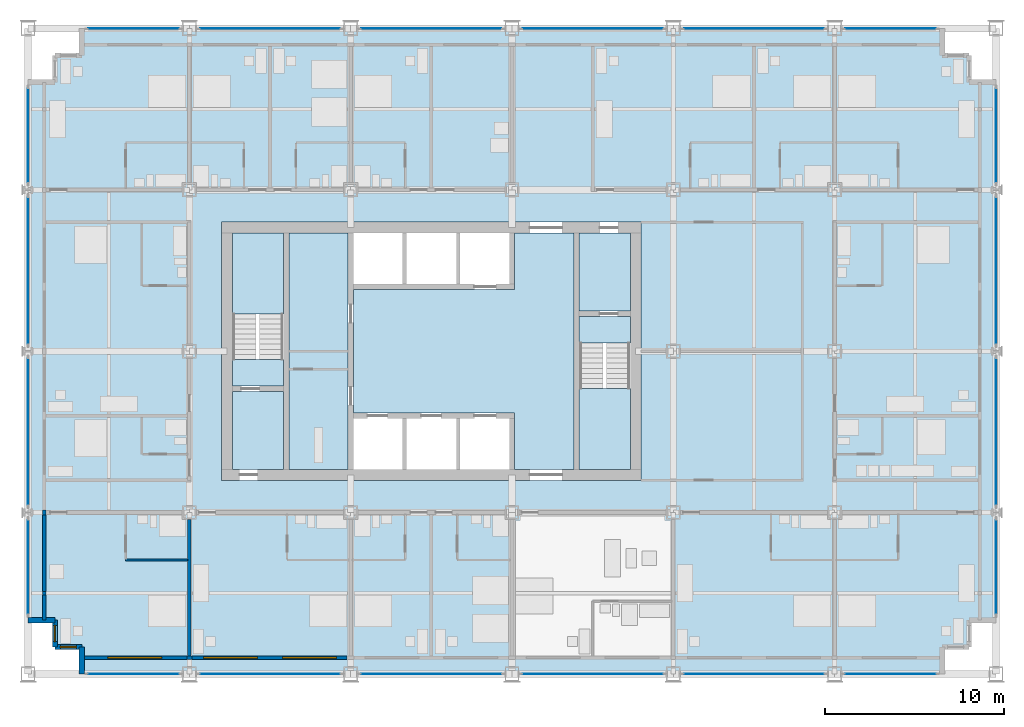
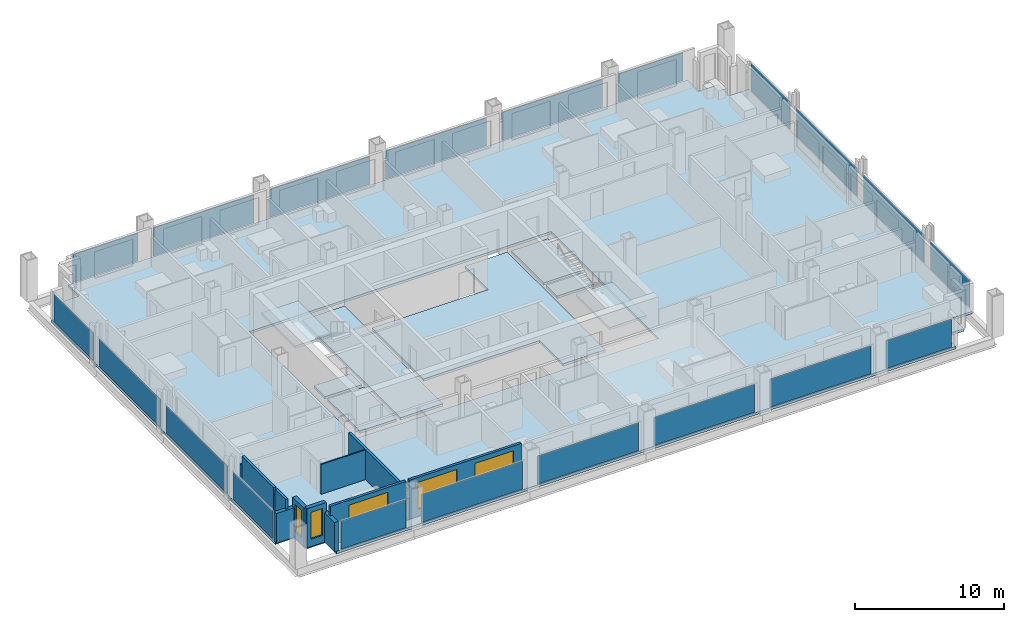
# One storey, part 9 of 18: 20 plates, 13 walls, 9 slabs, 5 windows, 5 openings, 22 elements without a shape of their own.
"""IFC4 building model written with IfcOpenShell, lengths in metres."""

from ifc_helpers import new_model, si_unit, direction, frame, frame_2d, origin, origin_2d, place, context, subcontext, project, spatial, polyline, rectangle, outline, extrude, material, layer, layer_set, type_object, element, fill, aggregate, save


model = new_model("IFC4")

# Units and contexts
model_context = context("Model", 3, precision=1e-05, world=origin(), true_north=direction((0.0, 1.0)))
body_context = subcontext(model_context, "Body", "Model", "MODEL_VIEW")
ifc_project = project(units=[si_unit("LENGTHUNIT", "METRE"), si_unit("AREAUNIT", "SQUARE_METRE"), si_unit("VOLUMEUNIT", "CUBIC_METRE"), si_unit("PLANEANGLEUNIT", "RADIAN"), si_unit("MASSUNIT", "GRAM", prefix="KILO")], contexts=[model_context])

# Site, building, storey
site_placement = place(None, origin())
site = spatial("IfcSite", under=ifc_project, at=site_placement, CompositionType="ELEMENT")
building_placement = place(site_placement, origin())
building = spatial("IfcBuilding", under=site, at=building_placement, Name="Loomwork Tower", CompositionType="ELEMENT")
storey_placement = place(building_placement, frame((0.0, 0.0, 68.800048828125)))
storey = spatial("IfcBuildingStorey", under=building, at=storey_placement, Name="L17", CompositionType="ELEMENT", Elevation=68.800048828125)

# Slabs
ifc_material_1 = material(Name="Concrete 5000 psi (34 MPa) on composite metal deck", Category="concrete")
ifc_layer_1 = layer(ifc_material_1, 0.199951171875)
ifc_layer_set_1 = layer_set([ifc_layer_1], Name="Floor slab 200")
slab_type_1 = type_object("IfcSlabType", Name="Floor slab 200", PredefinedType="FLOOR", material=ifc_layer_set_1)
slab_1_placement = place(storey_placement, frame((0.0, 0.0, -0.199951171875)))
element("IfcSlab", 1, at=slab_1_placement, inside=storey, type_object=slab_type_1, Name="Floor slab L17", PredefinedType="FLOOR", context=body_context, shape_type="SweptSolid", body=[
    extrude(outline(polyline([(3.0, 1.5), (1.5, 1.5), (1.5, 3.0), (0.0, 3.0), (0.0, 33.0), (1.5, 33.0), (1.5, 34.5), (3.0, 34.5), (3.0, 36.0), (51.0, 36.0), (51.0, 34.5), (52.5, 34.5), (52.5, 33.0), (54.0, 33.0), (54.0, 3.0), (52.5, 3.0), (52.5, 1.5), (51.0, 1.5), (51.0, 0.0), (3.0, 0.0), (3.0, 1.5)]), holes=[polyline([(10.800048828125, 11.39990234375), (10.800048828125, 11.39990234375), (10.800048828125, 10.800048828125), (34.199951171875, 10.800048828125), (34.199951171875, 11.39990234375), (34.199951171875, 11.39990234375), (34.199951171875, 24.60009765625), (34.199951171875, 25.199951171875), (10.800048828125, 25.199951171875), (10.800048828125, 24.60009765625), (10.800048828125, 11.39990234375)])]), origin(), (0.0, 0.0, 1.0), 0.199951171875),
])
slab_2_placement = place(storey_placement, frame((0.0, 0.0, -0.199951171875)))
element("IfcSlab", 2, at=slab_2_placement, inside=storey, type_object=slab_type_1, Name="Floor slab L17", PredefinedType="FLOOR", context=body_context, shape_type="SweptSolid", body=[
    extrude(outline(polyline([(30.449951171875, 24.60009765625), (30.449951171875, 11.39990234375), (27.14990234375, 11.39990234375), (27.14990234375, 14.25), (27.14990234375, 14.550048828125), (18.14990234375, 14.550048828125), (18.14990234375, 21.449951171875), (27.14990234375, 21.449951171875), (27.14990234375, 21.75), (27.14990234375, 24.60009765625), (30.449951171875, 24.60009765625)])), origin(), (0.0, 0.0, 1.0), 0.199951171875),
])
slab_3_placement = place(storey_placement, frame((0.0, 0.0, -0.199951171875)))
element("IfcSlab", 3, at=slab_3_placement, inside=storey, type_object=slab_type_1, Name="Floor slab L17", PredefinedType="FLOOR", context=body_context, shape_type="SweptSolid", body=[
    extrude(outline(polyline([(14.550048828125, 11.39990234375), (14.550048828125, 24.60009765625), (17.85009765625, 24.60009765625), (17.85009765625, 11.39990234375), (14.550048828125, 11.39990234375)])), origin(), (0.0, 0.0, 1.0), 0.199951171875),
])
slab_4_placement = place(storey_placement, frame((0.0, 0.0, -0.199951171875)))
element("IfcSlab", 4, at=slab_4_placement, inside=storey, type_object=slab_type_1, Name="Floor slab L17", PredefinedType="FLOOR", context=body_context, shape_type="SweptSolid", body=[
    extrude(outline(polyline([(33.60009765625, 20.25), (30.75, 20.25), (30.75, 24.60009765625), (33.60009765625, 24.60009765625), (33.60009765625, 20.25)])), origin(), (0.0, 0.0, 1.0), 0.199951171875),
])
slab_5_placement = place(storey_placement, frame((0.0, 0.0, -0.199951171875)))
element("IfcSlab", 5, at=slab_5_placement, inside=storey, type_object=slab_type_1, Name="Floor slab L17", PredefinedType="FLOOR", context=body_context, shape_type="SweptSolid", body=[
    extrude(outline(polyline([(14.25, 15.75), (14.25, 11.39990234375), (11.39990234375, 11.39990234375), (11.39990234375, 15.75), (14.25, 15.75)])), origin(), (0.0, 0.0, 1.0), 0.199951171875),
])

# Curtain wall, plate
ifc_material_2 = material(Name="Aluminium curtain wall frame", Category="aluminium")
curtain_wall_type = type_object("IfcCurtainWallType", Name="Outer skin glazing hotel", PredefinedType="NOTDEFINED", material=ifc_material_2)
curtain_wall_1_placement = place(storey_placement, origin())
curtain_wall_1 = element("IfcCurtainWall", 6, at=curtain_wall_1_placement, inside=storey, type_object=curtain_wall_type, Name="Outer skin glazing hotel cw/S-0", PredefinedType="NOTDEFINED")
ifc_material_3 = material(Name="Clear laminated glass", Category="glass")
ifc_layer_2 = layer(ifc_material_3, 0.02392578125)
ifc_layer_set_2 = layer_set([ifc_layer_2], Name="Outer skin glazing hotel panel")
plate_type = type_object("IfcPlateType", Name="Outer skin glazing hotel panel", PredefinedType="CURTAIN_PANEL", material=ifc_layer_set_2)
plate_1_placement = place(storey_placement, frame((5.875, 0.0, 0.06494140625), z_axis=(0.0, 0.0, 1.0), x_axis=(1.0, 0.0, 0.0)))
plate_1 = element("IfcPlate", 7, at=plate_1_placement, type_object=plate_type, Name="CW1 panel 1.1", PredefinedType="CURTAIN_PANEL", context=body_context, shape_type="SweptSolid", body=[
    extrude(rectangle(XDim=5.050048828125, YDim=0.02392578125, at=origin_2d()), origin(), (0.0, 0.0, 1.0), 2.290283203125),
])
aggregate(curtain_wall_1, [plate_1])

curtain_wall_2_placement = place(storey_placement, origin())
curtain_wall_2 = element("IfcCurtainWall", 8, at=curtain_wall_2_placement, inside=storey, type_object=curtain_wall_type, Name="Outer skin glazing hotel cw/S-9", PredefinedType="NOTDEFINED")
plate_2_placement = place(storey_placement, frame((13.5, 0.0, 0.06494140625), z_axis=(0.0, 0.0, 1.0), x_axis=(1.0, 0.0, 0.0)))
plate_2 = element("IfcPlate", 9, at=plate_2_placement, type_object=plate_type, Name="CW1 panel 1.1", PredefinedType="CURTAIN_PANEL", context=body_context, shape_type="SweptSolid", body=[
    extrude(rectangle(XDim=7.800048828125, YDim=0.02392578125, at=origin_2d()), origin(), (0.0, 0.0, 1.0), 2.290283203125),
])
aggregate(curtain_wall_2, [plate_2])

curtain_wall_3_placement = place(storey_placement, origin())
curtain_wall_3 = element("IfcCurtainWall", 10, at=curtain_wall_3_placement, inside=storey, type_object=curtain_wall_type, Name="Outer skin glazing hotel cw/S-18", PredefinedType="NOTDEFINED")
plate_3_placement = place(storey_placement, frame((22.5, 0.0, 0.06494140625), z_axis=(0.0, 0.0, 1.0), x_axis=(1.0, 0.0, 0.0)))
plate_3 = element("IfcPlate", 11, at=plate_3_placement, type_object=plate_type, Name="CW1 panel 1.1", PredefinedType="CURTAIN_PANEL", context=body_context, shape_type="SweptSolid", body=[
    extrude(rectangle(XDim=7.800048828125, YDim=0.02392578125, at=origin_2d()), origin(), (0.0, 0.0, 1.0), 2.290283203125),
])
aggregate(curtain_wall_3, [plate_3])

curtain_wall_4_placement = place(storey_placement, origin())
curtain_wall_4 = element("IfcCurtainWall", 12, at=curtain_wall_4_placement, inside=storey, type_object=curtain_wall_type, Name="Outer skin glazing hotel cw/S-27", PredefinedType="NOTDEFINED")
plate_4_placement = place(storey_placement, frame((31.5, 0.0, 0.06494140625), z_axis=(0.0, 0.0, 1.0), x_axis=(1.0, 0.0, 0.0)))
plate_4 = element("IfcPlate", 13, at=plate_4_placement, type_object=plate_type, Name="CW1 panel 1.1", PredefinedType="CURTAIN_PANEL", context=body_context, shape_type="SweptSolid", body=[
    extrude(rectangle(XDim=7.800048828125, YDim=0.02392578125, at=origin_2d()), origin(), (0.0, 0.0, 1.0), 2.290283203125),
])
aggregate(curtain_wall_4, [plate_4])

curtain_wall_5_placement = place(storey_placement, origin())
curtain_wall_5 = element("IfcCurtainWall", 14, at=curtain_wall_5_placement, inside=storey, type_object=curtain_wall_type, Name="Outer skin glazing hotel cw/S-36", PredefinedType="NOTDEFINED")
plate_5_placement = place(storey_placement, frame((40.5, 0.0, 0.06494140625), z_axis=(0.0, 0.0, 1.0), x_axis=(1.0, 0.0, 0.0)))
plate_5 = element("IfcPlate", 15, at=plate_5_placement, type_object=plate_type, Name="CW1 panel 1.1", PredefinedType="CURTAIN_PANEL", context=body_context, shape_type="SweptSolid", body=[
    extrude(rectangle(XDim=7.800048828125, YDim=0.02392578125, at=origin_2d()), origin(), (0.0, 0.0, 1.0), 2.290283203125),
])
aggregate(curtain_wall_5, [plate_5])

curtain_wall_6_placement = place(storey_placement, origin())
curtain_wall_6 = element("IfcCurtainWall", 16, at=curtain_wall_6_placement, inside=storey, type_object=curtain_wall_type, Name="Outer skin glazing hotel cw/S-45", PredefinedType="NOTDEFINED")
plate_6_placement = place(storey_placement, frame((48.125, 0.0, 0.06494140625), z_axis=(0.0, 0.0, 1.0), x_axis=(1.0, 0.0, 0.0)))
plate_6 = element("IfcPlate", 17, at=plate_6_placement, type_object=plate_type, Name="CW1 panel 1.1", PredefinedType="CURTAIN_PANEL", context=body_context, shape_type="SweptSolid", body=[
    extrude(rectangle(XDim=5.050048828125, YDim=0.02392578125, at=origin_2d()), origin(), (0.0, 0.0, 1.0), 2.290283203125),
])
aggregate(curtain_wall_6, [plate_6])

curtain_wall_7_placement = place(storey_placement, origin())
curtain_wall_7 = element("IfcCurtainWall", 18, at=curtain_wall_7_placement, inside=storey, type_object=curtain_wall_type, Name="Outer skin glazing hotel cw/N-0", PredefinedType="NOTDEFINED")
plate_7_placement = place(storey_placement, frame((5.875, 36.0, 0.06494140625), z_axis=(0.0, 0.0, 1.0), x_axis=(-1.0, 0.0, 0.0)))
plate_7 = element("IfcPlate", 19, at=plate_7_placement, type_object=plate_type, Name="CW1 panel 1.1", PredefinedType="CURTAIN_PANEL", context=body_context, shape_type="SweptSolid", body=[
    extrude(rectangle(XDim=5.050048828125, YDim=0.02392578125, at=origin_2d()), origin(), (0.0, 0.0, 1.0), 2.290283203125),
])
aggregate(curtain_wall_7, [plate_7])

curtain_wall_8_placement = place(storey_placement, origin())
curtain_wall_8 = element("IfcCurtainWall", 20, at=curtain_wall_8_placement, inside=storey, type_object=curtain_wall_type, Name="Outer skin glazing hotel cw/N-9", PredefinedType="NOTDEFINED")
plate_8_placement = place(storey_placement, frame((13.5, 36.0, 0.06494140625), z_axis=(0.0, 0.0, 1.0), x_axis=(-1.0, 0.0, 0.0)))
plate_8 = element("IfcPlate", 21, at=plate_8_placement, type_object=plate_type, Name="CW1 panel 1.1", PredefinedType="CURTAIN_PANEL", context=body_context, shape_type="SweptSolid", body=[
    extrude(rectangle(XDim=7.800048828125, YDim=0.02392578125, at=origin_2d()), origin(), (0.0, 0.0, 1.0), 2.290283203125),
])
aggregate(curtain_wall_8, [plate_8])

curtain_wall_9_placement = place(storey_placement, origin())
curtain_wall_9 = element("IfcCurtainWall", 22, at=curtain_wall_9_placement, inside=storey, type_object=curtain_wall_type, Name="Outer skin glazing hotel cw/N-18", PredefinedType="NOTDEFINED")
plate_9_placement = place(storey_placement, frame((22.5, 36.0, 0.06494140625), z_axis=(0.0, 0.0, 1.0), x_axis=(-1.0, 0.0, 0.0)))
plate_9 = element("IfcPlate", 23, at=plate_9_placement, type_object=plate_type, Name="CW1 panel 1.1", PredefinedType="CURTAIN_PANEL", context=body_context, shape_type="SweptSolid", body=[
    extrude(rectangle(XDim=7.800048828125, YDim=0.02392578125, at=origin_2d()), origin(), (0.0, 0.0, 1.0), 2.290283203125),
])
aggregate(curtain_wall_9, [plate_9])

curtain_wall_10_placement = place(storey_placement, origin())
curtain_wall_10 = element("IfcCurtainWall", 24, at=curtain_wall_10_placement, inside=storey, type_object=curtain_wall_type, Name="Outer skin glazing hotel cw/N-27", PredefinedType="NOTDEFINED")
plate_10_placement = place(storey_placement, frame((31.5, 36.0, 0.06494140625), z_axis=(0.0, 0.0, 1.0), x_axis=(-1.0, 0.0, 0.0)))
plate_10 = element("IfcPlate", 25, at=plate_10_placement, type_object=plate_type, Name="CW1 panel 1.1", PredefinedType="CURTAIN_PANEL", context=body_context, shape_type="SweptSolid", body=[
    extrude(rectangle(XDim=7.800048828125, YDim=0.02392578125, at=origin_2d()), origin(), (0.0, 0.0, 1.0), 2.290283203125),
])
aggregate(curtain_wall_10, [plate_10])

curtain_wall_11_placement = place(storey_placement, origin())
curtain_wall_11 = element("IfcCurtainWall", 26, at=curtain_wall_11_placement, inside=storey, type_object=curtain_wall_type, Name="Outer skin glazing hotel cw/N-36", PredefinedType="NOTDEFINED")
plate_11_placement = place(storey_placement, frame((40.5, 36.0, 0.06494140625), z_axis=(0.0, 0.0, 1.0), x_axis=(-1.0, 0.0, 0.0)))
plate_11 = element("IfcPlate", 27, at=plate_11_placement, type_object=plate_type, Name="CW1 panel 1.1", PredefinedType="CURTAIN_PANEL", context=body_context, shape_type="SweptSolid", body=[
    extrude(rectangle(XDim=7.800048828125, YDim=0.02392578125, at=origin_2d()), origin(), (0.0, 0.0, 1.0), 2.290283203125),
])
aggregate(curtain_wall_11, [plate_11])

curtain_wall_12_placement = place(storey_placement, origin())
curtain_wall_12 = element("IfcCurtainWall", 28, at=curtain_wall_12_placement, inside=storey, type_object=curtain_wall_type, Name="Outer skin glazing hotel cw/N-45", PredefinedType="NOTDEFINED")
plate_12_placement = place(storey_placement, frame((48.125, 36.0, 0.06494140625), z_axis=(0.0, 0.0, 1.0), x_axis=(-1.0, 0.0, 0.0)))
plate_12 = element("IfcPlate", 29, at=plate_12_placement, type_object=plate_type, Name="CW1 panel 1.1", PredefinedType="CURTAIN_PANEL", context=body_context, shape_type="SweptSolid", body=[
    extrude(rectangle(XDim=5.050048828125, YDim=0.02392578125, at=origin_2d()), origin(), (0.0, 0.0, 1.0), 2.290283203125),
])
aggregate(curtain_wall_12, [plate_12])

curtain_wall_13_placement = place(storey_placement, origin())
curtain_wall_13 = element("IfcCurtainWall", 30, at=curtain_wall_13_placement, inside=storey, type_object=curtain_wall_type, Name="Outer skin glazing hotel cw/W-0", PredefinedType="NOTDEFINED")
plate_13_placement = place(storey_placement, frame((0.0, 5.96142578125, 0.06494140625), z_axis=(0.0, 0.0, 1.0), x_axis=(0.0, -1.0, 0.0)))
plate_13 = element("IfcPlate", 31, at=plate_13_placement, type_object=plate_type, Name="CW1 panel 1.1", PredefinedType="CURTAIN_PANEL", context=body_context, shape_type="SweptSolid", body=[
    extrude(rectangle(XDim=5.22265625, YDim=0.02392578125, at=origin_2d()), origin(), (0.0, 0.0, 1.0), 2.290283203125),
])
aggregate(curtain_wall_13, [plate_13])

curtain_wall_14_placement = place(storey_placement, origin())
curtain_wall_14 = element("IfcCurtainWall", 32, at=curtain_wall_14_placement, inside=storey, type_object=curtain_wall_type, Name="Outer skin glazing hotel cw/W-9", PredefinedType="NOTDEFINED")
plate_14_placement = place(storey_placement, frame((0.0, 13.5, 0.06494140625), z_axis=(0.0, 0.0, 1.0), x_axis=(0.0, -1.0, 0.0)))
plate_14 = element("IfcPlate", 33, at=plate_14_placement, type_object=plate_type, Name="CW1 panel 1.1", PredefinedType="CURTAIN_PANEL", context=body_context, shape_type="SweptSolid", body=[
    extrude(rectangle(XDim=8.1455078125, YDim=0.02392578125, at=origin_2d()), origin(), (0.0, 0.0, 1.0), 2.290283203125),
])
aggregate(curtain_wall_14, [plate_14])

curtain_wall_15_placement = place(storey_placement, origin())
curtain_wall_15 = element("IfcCurtainWall", 34, at=curtain_wall_15_placement, inside=storey, type_object=curtain_wall_type, Name="Outer skin glazing hotel cw/W-18", PredefinedType="NOTDEFINED")
plate_15_placement = place(storey_placement, frame((0.0, 22.5, 0.06494140625), z_axis=(0.0, 0.0, 1.0), x_axis=(0.0, -1.0, 0.0)))
plate_15 = element("IfcPlate", 35, at=plate_15_placement, type_object=plate_type, Name="CW1 panel 1.1", PredefinedType="CURTAIN_PANEL", context=body_context, shape_type="SweptSolid", body=[
    extrude(rectangle(XDim=8.1455078125, YDim=0.02392578125, at=origin_2d()), origin(), (0.0, 0.0, 1.0), 2.290283203125),
])
aggregate(curtain_wall_15, [plate_15])

curtain_wall_16_placement = place(storey_placement, origin())
curtain_wall_16 = element("IfcCurtainWall", 36, at=curtain_wall_16_placement, inside=storey, type_object=curtain_wall_type, Name="Outer skin glazing hotel cw/W-27", PredefinedType="NOTDEFINED")
plate_16_placement = place(storey_placement, frame((0.0, 30.03857421875, 0.06494140625), z_axis=(0.0, 0.0, 1.0), x_axis=(0.0, -1.0, 0.0)))
plate_16 = element("IfcPlate", 37, at=plate_16_placement, type_object=plate_type, Name="CW1 panel 1.1", PredefinedType="CURTAIN_PANEL", context=body_context, shape_type="SweptSolid", body=[
    extrude(rectangle(XDim=5.22265625, YDim=0.02392578125, at=origin_2d()), origin(), (0.0, 0.0, 1.0), 2.290283203125),
])
aggregate(curtain_wall_16, [plate_16])

curtain_wall_17_placement = place(storey_placement, origin())
curtain_wall_17 = element("IfcCurtainWall", 38, at=curtain_wall_17_placement, inside=storey, type_object=curtain_wall_type, Name="Outer skin glazing hotel cw/E-0", PredefinedType="NOTDEFINED")
plate_17_placement = place(storey_placement, frame((54.0, 5.96142578125, 0.06494140625), z_axis=(0.0, 0.0, 1.0), x_axis=(0.0, 1.0, 0.0)))
plate_17 = element("IfcPlate", 39, at=plate_17_placement, type_object=plate_type, Name="CW1 panel 1.1", PredefinedType="CURTAIN_PANEL", context=body_context, shape_type="SweptSolid", body=[
    extrude(rectangle(XDim=5.22265625, YDim=0.02392578125, at=origin_2d()), origin(), (0.0, 0.0, 1.0), 2.290283203125),
])
aggregate(curtain_wall_17, [plate_17])

curtain_wall_18_placement = place(storey_placement, origin())
curtain_wall_18 = element("IfcCurtainWall", 40, at=curtain_wall_18_placement, inside=storey, type_object=curtain_wall_type, Name="Outer skin glazing hotel cw/E-9", PredefinedType="NOTDEFINED")
plate_18_placement = place(storey_placement, frame((54.0, 13.5, 0.06494140625), z_axis=(0.0, 0.0, 1.0), x_axis=(0.0, 1.0, 0.0)))
plate_18 = element("IfcPlate", 41, at=plate_18_placement, type_object=plate_type, Name="CW1 panel 1.1", PredefinedType="CURTAIN_PANEL", context=body_context, shape_type="SweptSolid", body=[
    extrude(rectangle(XDim=8.1455078125, YDim=0.02392578125, at=origin_2d()), origin(), (0.0, 0.0, 1.0), 2.290283203125),
])
aggregate(curtain_wall_18, [plate_18])

curtain_wall_19_placement = place(storey_placement, origin())
curtain_wall_19 = element("IfcCurtainWall", 42, at=curtain_wall_19_placement, inside=storey, type_object=curtain_wall_type, Name="Outer skin glazing hotel cw/E-18", PredefinedType="NOTDEFINED")
plate_19_placement = place(storey_placement, frame((54.0, 22.5, 0.06494140625), z_axis=(0.0, 0.0, 1.0), x_axis=(0.0, 1.0, 0.0)))
plate_19 = element("IfcPlate", 43, at=plate_19_placement, type_object=plate_type, Name="CW1 panel 1.1", PredefinedType="CURTAIN_PANEL", context=body_context, shape_type="SweptSolid", body=[
    extrude(rectangle(XDim=8.1455078125, YDim=0.02392578125, at=origin_2d()), origin(), (0.0, 0.0, 1.0), 2.290283203125),
])
aggregate(curtain_wall_19, [plate_19])

curtain_wall_20_placement = place(storey_placement, origin())
curtain_wall_20 = element("IfcCurtainWall", 44, at=curtain_wall_20_placement, inside=storey, type_object=curtain_wall_type, Name="Outer skin glazing hotel cw/E-27", PredefinedType="NOTDEFINED")
plate_20_placement = place(storey_placement, frame((54.0, 30.03857421875, 0.06494140625), z_axis=(0.0, 0.0, 1.0), x_axis=(0.0, 1.0, 0.0)))
plate_20 = element("IfcPlate", 45, at=plate_20_placement, type_object=plate_type, Name="CW1 panel 1.1", PredefinedType="CURTAIN_PANEL", context=body_context, shape_type="SweptSolid", body=[
    extrude(rectangle(XDim=5.22265625, YDim=0.02392578125, at=origin_2d()), origin(), (0.0, 0.0, 1.0), 2.290283203125),
])
aggregate(curtain_wall_20, [plate_20])

# Stair, slabs
ifc_material_4 = material(Name="Concrete 5000 psi (34 MPa) precast stair", Category="concrete")
stair_type_1 = type_object("IfcStairType", Name="Stair ST-A 20 risers 2850 wide", PredefinedType="HALF_TURN_STAIR", material=ifc_material_4)
stair_1_placement = place(storey_placement, origin())
stair_1 = element("IfcStair", 46, at=stair_1_placement, inside=storey, type_object=stair_type_1, Name="Stair A L17", PredefinedType="HALF_TURN_STAIR")
ifc_material_5 = material(Name="Concrete 5000 psi (34 MPa)", Category="concrete")
ifc_layer_3 = layer(ifc_material_5, 0.199951171875)
ifc_layer_set_3 = layer_set([ifc_layer_3], Name="Stair landing 200")
slab_type_2 = type_object("IfcSlabType", Name="Stair landing 200", PredefinedType="LANDING", material=ifc_layer_set_3)
slab_6_placement = place(storey_placement, frame((0.0, 0.0, -0.199951171875)))
slab_6 = element("IfcSlab", 47, at=slab_6_placement, type_object=slab_type_2, Name="ST-A landing 1", PredefinedType="LANDING", context=body_context, shape_type="SweptSolid", body=[
    extrude(outline(polyline([(11.39990234375, 16.050048828125), (14.25, 16.050048828125), (14.25, 17.550048828125), (11.39990234375, 17.550048828125), (11.39990234375, 16.050048828125)])), origin(), (0.0, 0.0, 1.0), 0.199951171875),
])
slab_7_placement = place(storey_placement, frame((0.0, 0.0, 1.5)))
slab_7 = element("IfcSlab", 48, at=slab_7_placement, type_object=slab_type_2, Name="ST-A landing 2", PredefinedType="LANDING", context=body_context, shape_type="SweptSolid", body=[
    extrude(outline(polyline([(11.39990234375, 20.070068359375), (14.25, 20.070068359375), (14.25, 24.60009765625), (11.39990234375, 24.60009765625), (11.39990234375, 20.070068359375)])), origin(), (0.0, 0.0, 1.0), 0.199951171875),
])
aggregate(stair_1, [slab_6, slab_7])

ifc_material_6 = material(Name="Concrete 5000 psi (34 MPa) precast stair", Category="concrete")
stair_type_2 = type_object("IfcStairType", Name="Stair ST-B 20 risers 2850 wide", PredefinedType="HALF_TURN_STAIR", material=ifc_material_6)
stair_2_placement = place(storey_placement, origin())
stair_2 = element("IfcStair", 49, at=stair_2_placement, inside=storey, type_object=stair_type_2, Name="Stair B L17", PredefinedType="HALF_TURN_STAIR")
slab_8_placement = place(storey_placement, frame((0.0, 0.0, -0.199951171875)))
slab_8 = element("IfcSlab", 50, at=slab_8_placement, type_object=slab_type_2, Name="ST-B landing 1", PredefinedType="LANDING", context=body_context, shape_type="SweptSolid", body=[
    extrude(outline(polyline([(30.75, 18.449951171875), (33.60009765625, 18.449951171875), (33.60009765625, 19.949951171875), (30.75, 19.949951171875), (30.75, 18.449951171875)])), origin(), (0.0, 0.0, 1.0), 0.199951171875),
])
slab_9_placement = place(storey_placement, frame((0.0, 0.0, 1.5)))
slab_9 = element("IfcSlab", 51, at=slab_9_placement, type_object=slab_type_2, Name="ST-B landing 2", PredefinedType="LANDING", context=body_context, shape_type="SweptSolid", body=[
    extrude(outline(polyline([(30.75, 11.39990234375), (33.60009765625, 11.39990234375), (33.60009765625, 15.929931640625), (30.75, 15.929931640625), (30.75, 11.39990234375)])), origin(), (0.0, 0.0, 1.0), 0.199951171875),
])
aggregate(stair_2, [slab_8, slab_9])

# Walls
ifc_material_7 = material(Name="Cement board on steel studs", Category="steel")
ifc_layer_4 = layer(ifc_material_7, 0.10009765625)
ifc_layer_set_4 = layer_set([ifc_layer_4], Name="En-suite partition 100")
wall_type_1 = type_object("IfcWallType", Name="En-suite partition 100", PredefinedType="PARTITIONING", material=ifc_layer_set_4)
wall_1_placement = place(storey_placement, frame((5.449951171875, 6.35009765625, 0.0), z_axis=(0.0, 0.0, 1.0), x_axis=(1.0, 0.0, 0.0)))
element("IfcWall", 52, at=wall_1_placement, inside=storey, type_object=wall_type_1, Name="En-suite wall L17 room 1", PredefinedType="PARTITIONING", context=body_context, shape_type="SweptSolid", body=[
    extrude(rectangle(XDim=3.449951171875, YDim=0.10009765625, at=frame_2d((1.72509765625, 0.0))), origin(), (0.0, 0.0, 1.0), 2.43798828125),
])
ifc_material_8 = material(Name="Gypsum board on steel studs, acoustic", Category="steel")
ifc_layer_5 = layer(ifc_material_8, 0.199951171875)
ifc_layer_set_5 = layer_set([ifc_layer_5], Name="Guest room party wall 200")
wall_type_2 = type_object("IfcWallType", Name="Guest room party wall 200", PredefinedType="PARTITIONING", material=ifc_layer_set_5)
wall_2_placement = place(storey_placement, frame((9.0, 8.60009765625, 0.0), z_axis=(0.0, 0.0, 1.0), x_axis=(0.0, -1.0, 0.0)))
element("IfcWall", 53, at=wall_2_placement, inside=storey, type_object=wall_type_2, Name="Guest room party wall S 9", PredefinedType="PARTITIONING", context=body_context, shape_type="SweptSolid", body=[
    extrude(rectangle(XDim=7.60009765625, YDim=0.199951171875, at=frame_2d((3.800048828125, 0.0))), origin(), (0.0, 0.0, 1.0), 2.43798828125),
])

# Wall, opening, window
ifc_material_9 = material(Name="Insulated steel stud wall with gypsum lining", Category="steel")
ifc_layer_6 = layer(ifc_material_9, 0.199951171875)
ifc_layer_set_6 = layer_set([ifc_layer_6], Name="Inner skin wall 200")
wall_type_3 = type_object("IfcWallType", Name="Inner skin wall 200", PredefinedType="SOLIDWALL", material=ifc_layer_set_6)
wall_3_placement = place(storey_placement, frame((3.0, 0.89990234375, 0.0), z_axis=(0.0, 0.0, 1.0), x_axis=(1.0, 0.0, 0.0)))
wall_3 = element("IfcWall", 54, at=wall_3_placement, inside=storey, type_object=wall_type_3, Name="Inner skin wall S", PredefinedType="SOLIDWALL", context=body_context, shape_type="SweptSolid", body=[
    extrude(rectangle(XDim=5.86474609375, YDim=0.199951171875, at=frame_2d((2.932373046875, 0.0))), origin(), (0.0, 0.0, 1.0), 3.199951171875),
])
opening_1_placement = place(wall_3_placement, frame((1.449951171875, 0.0, 0.60009765625)))
opening_1 = element("IfcOpeningElement", 55, at=opening_1_placement, cuts=wall_3, Name="Opening CH1", PredefinedType="OPENING", context=body_context, shape_type="SweptSolid", body=[
    extrude(rectangle(XDim=3.0, YDim=2.199951171875, at=frame_2d((1.5, 1.10009765625))), frame((0.0, 0.10986328125, 0.0), z_axis=(0.0, -1.0, 0.0), x_axis=(1.0, 0.0, 0.0)), (0.0, 0.0, 1.0), 0.219970703125),
])
ifc_material_10 = material(Name="Aluminium frame with clear insulated glass", Category="aluminium")
window_type_1 = type_object("IfcWindowType", Name="Chicago window 3000", PartitioningType="TRIPLE_PANEL_VERTICAL", PredefinedType="WINDOW", material=ifc_material_10)
window_1_placement = place(opening_1_placement, origin())
window_1 = element("IfcWindow", 56, at=window_1_placement, inside=storey, type_object=window_type_1, Name="Chicago window L17 bay 1", OverallHeight=2.199951171875, OverallWidth=3.0, PartitioningType="TRIPLE_PANEL_VERTICAL", PredefinedType="WINDOW", context=body_context, shape_type="SweptSolid", body=[
    extrude(rectangle(XDim=3.0, YDim=2.199951171875, at=frame_2d((1.5, 1.10009765625))), frame((0.0, 0.030029296875, 0.0), z_axis=(0.0, -1.0, 0.0), x_axis=(1.0, 0.0, 0.0)), (0.0, 0.0, 1.0), 0.06005859375),
])
fill(opening_1, window_1)

# Walls
wall_4_placement = place(storey_placement, frame((0.89990234375, 3.0, 0.0), z_axis=(0.0, 0.0, 1.0), x_axis=(0.0, 1.0, 0.0)))
element("IfcWall", 57, at=wall_4_placement, inside=storey, type_object=wall_type_3, Name="Inner skin wall W", PredefinedType="SOLIDWALL", context=body_context, shape_type="SweptSolid", body=[
    extrude(rectangle(XDim=1.392578125, YDim=0.199951171875, at=frame_2d((0.6962890625, 0.0))), origin(), (0.0, 0.0, 1.0), 3.199951171875),
])
wall_5_placement = place(storey_placement, frame((8.86474609375, 0.89990234375, 0.0), z_axis=(0.0, 0.0, 1.0), x_axis=(1.0, 0.0, 0.0)))
element("IfcWall", 58, at=wall_5_placement, inside=storey, type_object=wall_type_3, Name="Inner skin wall S bay 2", PredefinedType="SOLIDWALL", context=body_context, shape_type="SweptSolid", body=[
    extrude(rectangle(XDim=0.2705078125, YDim=0.199951171875, at=frame_2d((0.13525390625, 0.0))), origin(), (0.0, 0.0, 1.0), 2.43798828125),
])

# Wall, openings, windows
wall_6_placement = place(storey_placement, frame((9.13525390625, 0.89990234375, 0.0), z_axis=(0.0, 0.0, 1.0), x_axis=(1.0, 0.0, 0.0)))
wall_6 = element("IfcWall", 59, at=wall_6_placement, inside=storey, type_object=wall_type_3, Name="Inner skin wall S bay 3", PredefinedType="SOLIDWALL", context=body_context, shape_type="SweptSolid", body=[
    extrude(rectangle(XDim=8.6708984375, YDim=0.199951171875, at=frame_2d((4.33544921875, 0.0))), origin(), (0.0, 0.0, 1.0), 3.199951171875),
])
opening_2_placement = place(wall_6_placement, frame((0.664794921875, 0.0, 0.60009765625)))
opening_2 = element("IfcOpeningElement", 60, at=opening_2_placement, cuts=wall_6, Name="Opening CH1", PredefinedType="OPENING", context=body_context, shape_type="SweptSolid", body=[
    extrude(rectangle(XDim=3.0, YDim=2.199951171875, at=frame_2d((1.5, 1.10009765625))), frame((0.0, 0.10986328125, 0.0), z_axis=(0.0, -1.0, 0.0), x_axis=(1.0, 0.0, 0.0)), (0.0, 0.0, 1.0), 0.219970703125),
])
opening_3_placement = place(wall_6_placement, frame((5.064697265625, 0.0, 0.60009765625)))
opening_3 = element("IfcOpeningElement", 61, at=opening_3_placement, cuts=wall_6, Name="Opening CH1", PredefinedType="OPENING", context=body_context, shape_type="SweptSolid", body=[
    extrude(rectangle(XDim=3.0, YDim=2.199951171875, at=frame_2d((1.5, 1.10009765625))), frame((0.0, 0.10986328125, 0.0), z_axis=(0.0, -1.0, 0.0), x_axis=(1.0, 0.0, 0.0)), (0.0, 0.0, 1.0), 0.219970703125),
])
window_2_placement = place(opening_2_placement, origin())
window_2 = element("IfcWindow", 62, at=window_2_placement, inside=storey, type_object=window_type_1, Name="Chicago window L17 bay 2", OverallHeight=2.199951171875, OverallWidth=3.0, PartitioningType="TRIPLE_PANEL_VERTICAL", PredefinedType="WINDOW", context=body_context, shape_type="SweptSolid", body=[
    extrude(rectangle(XDim=3.0, YDim=2.199951171875, at=frame_2d((1.5, 1.10009765625))), frame((0.0, 0.030029296875, 0.0), z_axis=(0.0, -1.0, 0.0), x_axis=(1.0, 0.0, 0.0)), (0.0, 0.0, 1.0), 0.06005859375),
])
fill(opening_2, window_2)
window_3_placement = place(opening_3_placement, origin())
window_3 = element("IfcWindow", 63, at=window_3_placement, inside=storey, type_object=window_type_1, Name="Chicago window L17 bay 2", OverallHeight=2.199951171875, OverallWidth=3.0, PartitioningType="TRIPLE_PANEL_VERTICAL", PredefinedType="WINDOW", context=body_context, shape_type="SweptSolid", body=[
    extrude(rectangle(XDim=3.0, YDim=2.199951171875, at=frame_2d((1.5, 1.10009765625))), frame((0.0, 0.030029296875, 0.0), z_axis=(0.0, -1.0, 0.0), x_axis=(1.0, 0.0, 0.0)), (0.0, 0.0, 1.0), 0.06005859375),
])
fill(opening_3, window_3)

# Walls
wall_7_placement = place(storey_placement, frame((0.89990234375, 4.392578125, 0.0), z_axis=(0.0, 0.0, 1.0), x_axis=(0.0, 1.0, 0.0)))
element("IfcWall", 64, at=wall_7_placement, inside=storey, type_object=wall_type_3, Name="Inner skin wall W bay 2", PredefinedType="SOLIDWALL", context=body_context, shape_type="SweptSolid", body=[
    extrude(rectangle(XDim=0.21484375, YDim=0.199951171875, at=frame_2d((0.107421875, 0.0))), origin(), (0.0, 0.0, 1.0), 2.660888671875),
])
wall_8_placement = place(storey_placement, frame((0.89990234375, 4.607421875, 0.0), z_axis=(0.0, 0.0, 1.0), x_axis=(0.0, 1.0, 0.0)))
element("IfcWall", 65, at=wall_8_placement, inside=storey, type_object=wall_type_3, Name="Inner skin wall W bay 3", PredefinedType="SOLIDWALL", context=body_context, shape_type="SweptSolid", body=[
    extrude(rectangle(XDim=4.25732421875, YDim=0.199951171875, at=frame_2d((2.128662109375, 0.0))), origin(), (0.0, 0.0, 1.0), 3.199951171875),
])
wall_9_placement = place(storey_placement, frame((0.89990234375, 8.86474609375, 0.0), z_axis=(0.0, 0.0, 1.0), x_axis=(0.0, 1.0, 0.0)))
element("IfcWall", 66, at=wall_9_placement, inside=storey, type_object=wall_type_3, Name="Inner skin wall W bay 4", PredefinedType="SOLIDWALL", context=body_context, shape_type="SweptSolid", body=[
    extrude(rectangle(XDim=0.2705078125, YDim=0.199951171875, at=frame_2d((0.13525390625, 0.0))), origin(), (0.0, 0.0, 1.0), 2.43798828125),
])
ifc_material_11 = material(Name="Limestone on concrete masonry", Category="masonry")
ifc_layer_7 = layer(ifc_material_11, 0.300048828125)
ifc_layer_set_7 = layer_set([ifc_layer_7], Name="Limestone corner wall 300")
wall_type_4 = type_object("IfcWallType", Name="Limestone corner wall 300", PredefinedType="SOLIDWALL", material=ifc_layer_set_7)
wall_10_placement = place(storey_placement, frame((0.0, 3.0, 0.0), z_axis=(0.0, 0.0, 1.0), x_axis=(1.0, 0.0, 0.0)))
element("IfcWall", 67, at=wall_10_placement, inside=storey, type_object=wall_type_4, Name="Stone corner wall SW 1", PredefinedType="SOLIDWALL", context=body_context, shape_type="SweptSolid", body=[
    extrude(rectangle(XDim=1.5, YDim=0.300048828125, at=frame_2d((0.75, 0.0))), origin(), (0.0, 0.0, 1.0), 2.419921875),
])

# Wall, opening, window
wall_11_placement = place(storey_placement, frame((1.5, 3.0, 0.0), z_axis=(0.0, 0.0, 1.0), x_axis=(0.0, -1.0, 0.0)))
wall_11 = element("IfcWall", 68, at=wall_11_placement, inside=storey, type_object=wall_type_4, Name="Stone corner wall SW 2", PredefinedType="SOLIDWALL", context=body_context, shape_type="SweptSolid", body=[
    extrude(rectangle(XDim=1.5, YDim=0.300048828125, at=frame_2d((0.75, 0.0))), origin(), (0.0, 0.0, 1.0), 3.199951171875),
])
opening_4_placement = place(wall_11_placement, frame((0.300048828125, 0.0, 0.60009765625)))
opening_4 = element("IfcOpeningElement", 69, at=opening_4_placement, cuts=wall_11, Name="Opening CH2", PredefinedType="OPENING", context=body_context, shape_type="SweptSolid", body=[
    extrude(rectangle(XDim=0.89990234375, YDim=2.199951171875, at=frame_2d((0.449951171875, 1.10009765625))), frame((0.0, 0.159912109375, 0.0), z_axis=(0.0, -1.0, 0.0), x_axis=(1.0, 0.0, 0.0)), (0.0, 0.0, 1.0), 0.320068359375),
])
ifc_material_12 = material(Name="Aluminium frame with clear insulated glass", Category="aluminium")
window_type_2 = type_object("IfcWindowType", Name="Corner window 900", PartitioningType="SINGLE_PANEL", PredefinedType="WINDOW", material=ifc_material_12)
window_4_placement = place(opening_4_placement, origin())
window_4 = element("IfcWindow", 70, at=window_4_placement, inside=storey, type_object=window_type_2, Name="Corner window SW", OverallHeight=2.199951171875, OverallWidth=0.89990234375, PartitioningType="SINGLE_PANEL", PredefinedType="WINDOW", context=body_context, shape_type="SweptSolid", body=[
    extrude(rectangle(XDim=0.89990234375, YDim=2.199951171875, at=frame_2d((0.449951171875, 1.10009765625))), frame((0.0, 0.030029296875, 0.0), z_axis=(0.0, -1.0, 0.0), x_axis=(1.0, 0.0, 0.0)), (0.0, 0.0, 1.0), 0.06005859375),
])
fill(opening_4, window_4)

wall_12_placement = place(storey_placement, frame((1.5, 1.5, 0.0), z_axis=(0.0, 0.0, 1.0), x_axis=(1.0, 0.0, 0.0)))
wall_12 = element("IfcWall", 71, at=wall_12_placement, inside=storey, type_object=wall_type_4, Name="Stone corner wall SW 3", PredefinedType="SOLIDWALL", context=body_context, shape_type="SweptSolid", body=[
    extrude(rectangle(XDim=1.5, YDim=0.300048828125, at=frame_2d((0.75, 0.0))), origin(), (0.0, 0.0, 1.0), 3.199951171875),
])
opening_5_placement = place(wall_12_placement, frame((0.300048828125, 0.0, 0.60009765625)))
opening_5 = element("IfcOpeningElement", 72, at=opening_5_placement, cuts=wall_12, Name="Opening CH2", PredefinedType="OPENING", context=body_context, shape_type="SweptSolid", body=[
    extrude(rectangle(XDim=0.89990234375, YDim=2.199951171875, at=frame_2d((0.449951171875, 1.10009765625))), frame((0.0, 0.159912109375, 0.0), z_axis=(0.0, -1.0, 0.0), x_axis=(1.0, 0.0, 0.0)), (0.0, 0.0, 1.0), 0.320068359375),
])
window_5_placement = place(opening_5_placement, origin())
window_5 = element("IfcWindow", 73, at=window_5_placement, inside=storey, type_object=window_type_2, Name="Corner window SW", OverallHeight=2.199951171875, OverallWidth=0.89990234375, PartitioningType="SINGLE_PANEL", PredefinedType="WINDOW", context=body_context, shape_type="SweptSolid", body=[
    extrude(rectangle(XDim=0.89990234375, YDim=2.199951171875, at=frame_2d((0.449951171875, 1.10009765625))), frame((0.0, 0.030029296875, 0.0), z_axis=(0.0, -1.0, 0.0), x_axis=(1.0, 0.0, 0.0)), (0.0, 0.0, 1.0), 0.06005859375),
])
fill(opening_5, window_5)

# Wall
wall_13_placement = place(storey_placement, frame((3.0, 1.5, 0.0), z_axis=(0.0, 0.0, 1.0), x_axis=(0.0, -1.0, 0.0)))
element("IfcWall", 74, at=wall_13_placement, inside=storey, type_object=wall_type_4, Name="Stone corner wall SW 4", PredefinedType="SOLIDWALL", context=body_context, shape_type="SweptSolid", body=[
    extrude(rectangle(XDim=1.5, YDim=0.300048828125, at=frame_2d((0.75, 0.0))), origin(), (0.0, 0.0, 1.0), 2.419921875),
])

save(model, "model.ifc")
